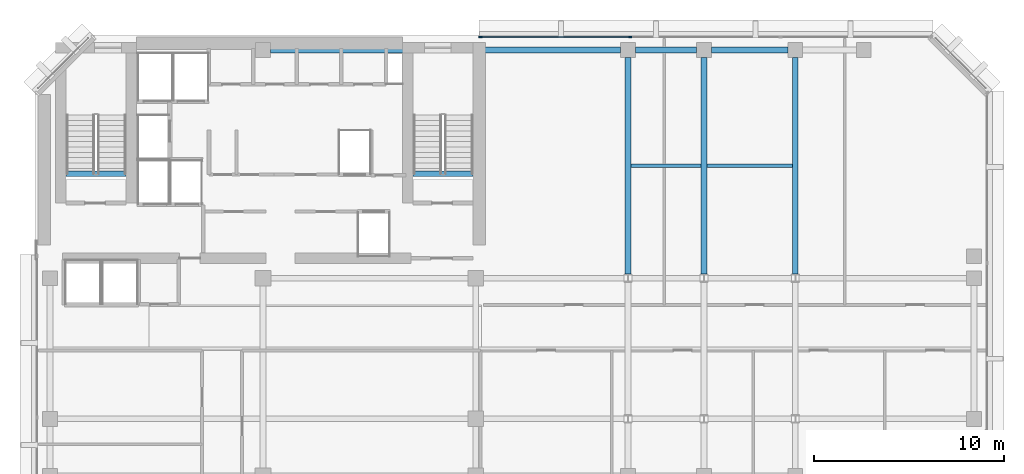
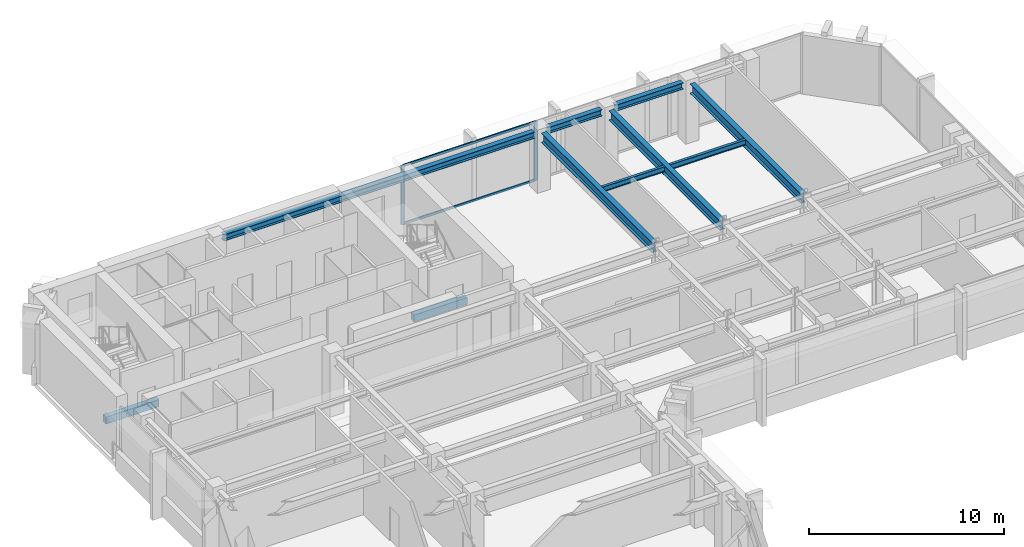
# One storey, part 4 of 12: 10 beams, 4 members, 1 element without a shape of its own.
"""IFC4 building model written with IfcOpenShell, lengths in metres."""

from ifc_helpers import new_model, si_unit, direction, frame, origin, origin_2d, place, context, subcontext, project, spatial, rectangle, i_section, extrude, material, layer, layer_set, material_profile, profile_set, type_object, element, aggregate, save


model = new_model("IFC4")

# Units and contexts
model_context = context("Model", 3, precision=1e-05, world=origin(), true_north=direction((0.0, 1.0)))
body_context = subcontext(model_context, "Body", "Model", "MODEL_VIEW")
ifc_project = project(units=[si_unit("LENGTHUNIT", "METRE"), si_unit("AREAUNIT", "SQUARE_METRE"), si_unit("VOLUMEUNIT", "CUBIC_METRE"), si_unit("PLANEANGLEUNIT", "RADIAN"), si_unit("MASSUNIT", "GRAM", prefix="KILO")], contexts=[model_context])

# Site, building, storey
site_placement = place(None, origin())
site = spatial("IfcSite", under=ifc_project, at=site_placement, CompositionType="ELEMENT")
building_placement = place(site_placement, origin())
building = spatial("IfcBuilding", under=site, at=building_placement, Name="Kefirva Bronze Tower", CompositionType="ELEMENT")
storey_placement = place(building_placement, frame((0.0, 0.0, 256.409912109375)))
storey = spatial("IfcBuildingStorey", under=building, at=storey_placement, Name="L62", CompositionType="ELEMENT", Elevation=256.409912109375)

# Curtain wall, members
ifc_material_1 = material(Name="Bronze anodised aluminium", Category="aluminium")
ifc_layer = layer(ifc_material_1, 0.179931640625, Name="Bronze anodised aluminium")
ifc_layer_set = layer_set([ifc_layer], Name="Bronze anodised aluminium")
curtain_wall_type = type_object("IfcCurtainWallType", Name="Unitised Bronze Ribbon Curtain Wall Zone 3", PredefinedType="USERDEFINED", material=ifc_layer_set)
curtain_wall_placement = place(storey_placement, origin())
curtain_wall = element("IfcCurtainWall", 1, at=curtain_wall_placement, inside=storey, type_object=curtain_wall_type, Name="L62 Curtain Wall 4", ObjectType="UNITISED CURTAIN WALL", PredefinedType="USERDEFINED")
ifc_material_profile_1 = material_profile(ifc_material_1, rectangle(XDim=0.074951171875, YDim=0.179931640625, at=origin_2d()), Name="ALU 75x180")
ifc_profile_set_1 = profile_set([ifc_material_profile_1], Name="Bronze anodised aluminium")
member_type_1 = type_object("IfcMemberType", Name="Bronze Mullion 75x180", PredefinedType="MULLION", material=ifc_profile_set_1)
member_1_placement = place(storey_placement, frame((31.318359375, 45.8798828125, 0.0), z_axis=(0.0, 0.0, 1.0), x_axis=(0.0, -1.0, 0.0)))
member_1 = element("IfcMember", 2, at=member_1_placement, type_object=member_type_1, Name="CW-03 mullion 3", PredefinedType="MULLION", context=body_context, shape_type="SweptSolid", body=[
    extrude(rectangle(XDim=0.074951171875, YDim=0.179931640625, at=origin_2d()), origin(), (0.0, 0.0, 1.0), 3.710205078125),
])
member_2_placement = place(storey_placement, frame((23.4423828125, 45.8798828125, 0.0), z_axis=(0.0, 0.0, 1.0), x_axis=(0.0, -1.0, 0.0)))
member_2 = element("IfcMember", 3, at=member_2_placement, type_object=member_type_1, Name="CW-03 mullion 4", PredefinedType="MULLION", context=body_context, shape_type="SweptSolid", body=[
    extrude(rectangle(XDim=0.074951171875, YDim=0.179931640625, at=origin_2d()), origin(), (0.0, 0.0, 1.0), 3.710205078125),
])
ifc_material_profile_2 = material_profile(ifc_material_1, rectangle(XDim=0.074951171875, YDim=0.14990234375, at=origin_2d()), Name="ALU 75x150")
ifc_profile_set_2 = profile_set([ifc_material_profile_2], Name="Bronze anodised aluminium")
member_type_2 = type_object("IfcMemberType", Name="Bronze Transom 75x150", PredefinedType="USERDEFINED", material=ifc_profile_set_2)
member_3_placement = place(storey_placement, frame((31.28076171875, 45.8798828125, 0.03759765625), z_axis=(-1.0, 0.0, 0.0), x_axis=(0.0, -1.0, 0.0)))
member_3 = element("IfcMember", 4, at=member_3_placement, type_object=member_type_2, Name="CW-03 transom 3.1", ObjectType="TRANSOM", PredefinedType="USERDEFINED", context=body_context, shape_type="SweptSolid", body=[
    extrude(rectangle(XDim=0.074951171875, YDim=0.14990234375, at=origin_2d()), origin(), (0.0, 0.0, 1.0), 7.80078125),
])
member_4_placement = place(storey_placement, frame((31.28076171875, 45.8798828125, 3.672607421875), z_axis=(-1.0, 0.0, 0.0), x_axis=(0.0, -1.0, 0.0)))
member_4 = element("IfcMember", 5, at=member_4_placement, type_object=member_type_2, Name="CW-03 transom 3.2", ObjectType="TRANSOM", PredefinedType="USERDEFINED", context=body_context, shape_type="SweptSolid", body=[
    extrude(rectangle(XDim=0.074951171875, YDim=0.14990234375, at=origin_2d()), origin(), (0.0, 0.0, 1.0), 7.80078125),
])
aggregate(curtain_wall, [member_1, member_2, member_3, member_4])

# Beams
ifc_material_2 = material(Name="Concrete C50/60", Category="concrete")
ifc_material_profile_3 = material_profile(ifc_material_2, rectangle(XDim=0.300048828125, YDim=0.449951171875, at=origin_2d()), Name="RC 300x450")
ifc_profile_set_3 = profile_set([ifc_material_profile_3], Name="Concrete C50/60")
beam_type_1 = type_object("IfcBeamType", Name="RC Stair Trimmer Beam 300x450", PredefinedType="BEAM", material=ifc_profile_set_3)
beam_1_placement = place(storey_placement, frame((1.64501953125, 38.699951171875, -0.224853515625), z_axis=(1.0, 0.0, 0.0), x_axis=(0.0, 1.0, 0.0)))
element("IfcBeam", 6, at=beam_1_placement, inside=storey, type_object=beam_type_1, Name="L62 Stair 1 Landing Trimmer Beam", PredefinedType="BEAM", context=body_context, shape_type="SweptSolid", body=[
    extrude(rectangle(XDim=0.300048828125, YDim=0.449951171875, at=origin_2d()), origin(), (0.0, 0.0, 1.0), 3.14990234375),
])
beam_2_placement = place(storey_placement, frame((19.89501953125, 38.699951171875, -0.224853515625), z_axis=(1.0, 0.0, 0.0), x_axis=(0.0, 1.0, 0.0)))
element("IfcBeam", 7, at=beam_2_placement, inside=storey, type_object=beam_type_1, Name="L62 Stair 2 Landing Trimmer Beam", PredefinedType="BEAM", context=body_context, shape_type="SweptSolid", body=[
    extrude(rectangle(XDim=0.300048828125, YDim=0.449951171875, at=origin_2d()), origin(), (0.0, 0.0, 1.0), 3.159912109375),
])
ifc_material_3 = material(Name="Steel S355", Category="steel")
ifc_material_profile_4 = material_profile(ifc_material_3, i_section(OverallWidth=0.159912109375, OverallDepth=0.330078125, WebThickness=0.007568359375, FlangeThickness=0.011474609375, at=origin_2d()), Name="IPE 330")
ifc_profile_set_4 = profile_set([ifc_material_profile_4], Name="Steel S355")
beam_type_2 = type_object("IfcBeamType", Name="Steel Floor Joist IPE 330", PredefinedType="JOIST", material=ifc_profile_set_4)
beam_3_placement = place(storey_placement, frame((31.35009765625, 39.11376953125, 3.545166015625), z_axis=(1.0, 0.0, 0.0), x_axis=(0.0, 1.0, 0.0)))
element("IfcBeam", 8, at=beam_3_placement, inside=storey, type_object=beam_type_2, Name="L62 JST-L62-31-391", PredefinedType="JOIST", context=body_context, shape_type="SweptSolid", body=[
    extrude(i_section(OverallWidth=0.159912109375, OverallDepth=0.330078125, WebThickness=0.007568359375, FlangeThickness=0.011474609375, at=origin_2d()), origin(), (0.0, 0.0, 1.0), 3.699951171875),
])
beam_4_placement = place(storey_placement, frame((35.35009765625, 39.11376953125, 3.545166015625), z_axis=(1.0, 0.0, 0.0), x_axis=(0.0, 1.0, 0.0)))
element("IfcBeam", 9, at=beam_4_placement, inside=storey, type_object=beam_type_2, Name="L62 JST-L62-35-391", PredefinedType="JOIST", context=body_context, shape_type="SweptSolid", body=[
    extrude(i_section(OverallWidth=0.159912109375, OverallDepth=0.330078125, WebThickness=0.007568359375, FlangeThickness=0.011474609375, at=origin_2d()), origin(), (0.0, 0.0, 1.0), 4.5),
])
ifc_material_profile_5 = material_profile(ifc_material_3, i_section(OverallWidth=0.300048828125, OverallDepth=0.60009765625, WebThickness=0.015380859375, FlangeThickness=0.030029296875, at=origin_2d()), Name="HEB 600")
ifc_profile_set_5 = profile_set([ifc_material_profile_5], Name="Steel S355")
beam_type_3 = type_object("IfcBeamType", Name="Steel Girder HEB 600", PredefinedType="USERDEFINED", material=ifc_profile_set_5)
for number, where, z_axis, x_axis, name in (
    (10, (31.199951171875, 33.41748046875, 3.41015625), (0.0, 1.0, 0.0), (-1.0, 0.0, 0.0), "L62 BM-L62-NS-312-33"),
    (11, (35.199951171875, 33.41748046875, 3.41015625), (0.0, 1.0, 0.0), (-1.0, 0.0, 0.0), "L62 BM-L62-NS-352-33"),
    (12, (40.0, 33.41748046875, 3.41015625), (0.0, 1.0, 0.0), (-1.0, 0.0, 0.0), "L62 BM-L62-NS-400-33"),
):
    element("IfcBeam", number, at=place(storey_placement, frame(where, z_axis=z_axis, x_axis=x_axis)), inside=storey, type_object=beam_type_3, Name=name, ObjectType="GIRDER", PredefinedType="USERDEFINED", context=body_context, shape_type="SweptSolid", body=[
        extrude(i_section(OverallWidth=0.300048828125, OverallDepth=0.60009765625, WebThickness=0.015380859375, FlangeThickness=0.030029296875, at=origin_2d()), origin(), (0.0, 0.0, 1.0), 11.392578125),
    ])
ifc_material_profile_6 = material_profile(ifc_material_3, i_section(OverallWidth=0.300048828125, OverallDepth=0.39990234375, WebThickness=0.013427734375, FlangeThickness=0.02392578125, at=origin_2d()), Name="HEB 400")
ifc_profile_set_6 = profile_set([ifc_material_profile_6], Name="Steel S355")
beam_type_4 = type_object("IfcBeamType", Name="Steel Spandrel HEB 400 Ext", PredefinedType="SPANDREL", material=ifc_profile_set_6)
beam_5_placement = place(storey_placement, frame((12.389892578125, 45.199951171875, 3.510009765625), z_axis=(1.0, 0.0, 0.0), x_axis=(0.0, 1.0, 0.0)))
element("IfcBeam", 13, at=beam_5_placement, inside=storey, type_object=beam_type_4, Name="L62 BM-L62-EW-12-452", PredefinedType="SPANDREL", context=body_context, shape_type="SweptSolid", body=[
    extrude(i_section(OverallWidth=0.300048828125, OverallDepth=0.39990234375, WebThickness=0.013427734375, FlangeThickness=0.02392578125, at=origin_2d()), origin(), (0.0, 0.0, 1.0), 18.420166015625),
])
beam_6_placement = place(storey_placement, frame((31.590087890625, 45.199951171875, 3.510009765625), z_axis=(1.0, 0.0, 0.0), x_axis=(0.0, 1.0, 0.0)))
element("IfcBeam", 14, at=beam_6_placement, inside=storey, type_object=beam_type_4, Name="L62 BM-L62-EW-31-452", PredefinedType="SPANDREL", context=body_context, shape_type="SweptSolid", body=[
    extrude(i_section(OverallWidth=0.300048828125, OverallDepth=0.39990234375, WebThickness=0.013427734375, FlangeThickness=0.02392578125, at=origin_2d()), origin(), (0.0, 0.0, 1.0), 3.219970703125),
])
beam_7_placement = place(storey_placement, frame((35.590087890625, 45.199951171875, 3.510009765625), z_axis=(1.0, 0.0, 0.0), x_axis=(0.0, 1.0, 0.0)))
element("IfcBeam", 15, at=beam_7_placement, inside=storey, type_object=beam_type_4, Name="L62 BM-L62-EW-35-452", PredefinedType="SPANDREL", context=body_context, shape_type="SweptSolid", body=[
    extrude(i_section(OverallWidth=0.300048828125, OverallDepth=0.39990234375, WebThickness=0.013427734375, FlangeThickness=0.02392578125, at=origin_2d()), origin(), (0.0, 0.0, 1.0), 4.02001953125),
])

save(model, "model.ifc")
